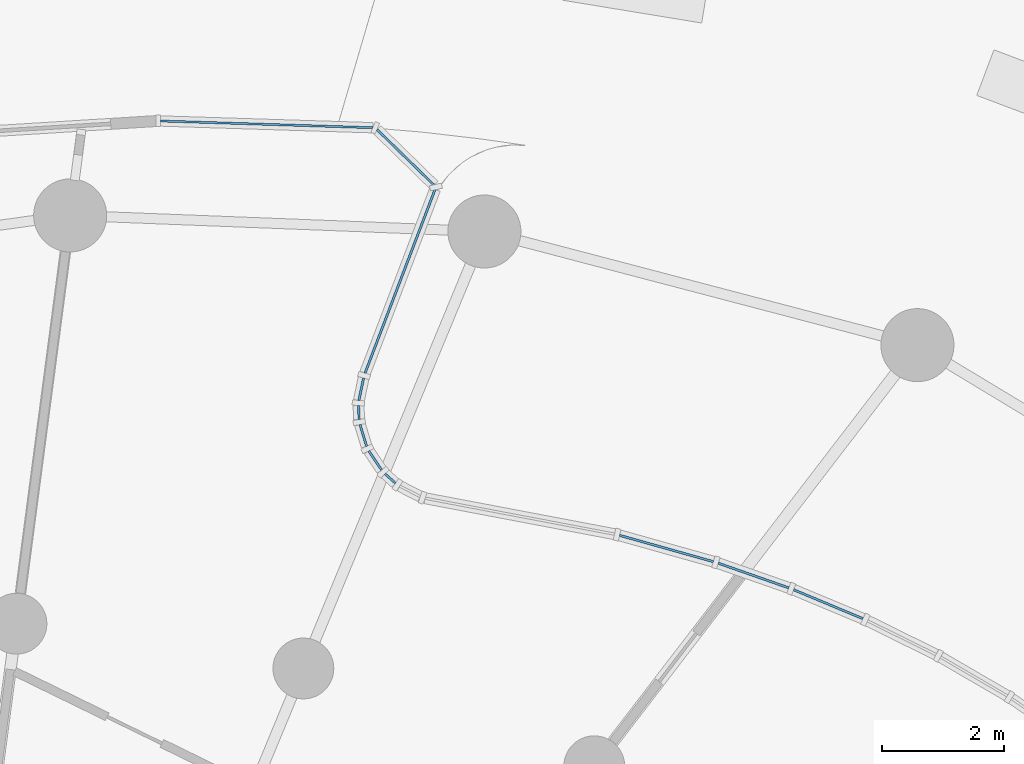
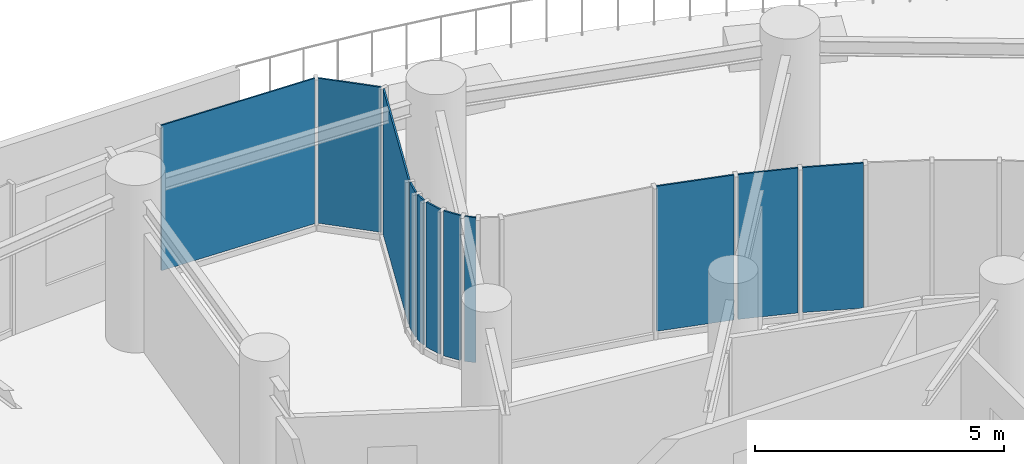
# One storey, part 13 of 24: 11 plates, 4 elements without a shape of their own.
"""IFC4 building model written with IfcOpenShell, lengths in metres."""

from ifc_helpers import new_model, si_unit, direction, frame, origin, origin_2d, place, context, subcontext, project, spatial, rectangle, extrude, source, transform, mapped, material, layer, layer_set, type_object, element, aggregate, save


model = new_model("IFC4")

# Units and contexts
model_context = context("Model", 3, precision=1e-05, world=origin(), true_north=direction((0.0, 1.0)))
body_context = subcontext(model_context, "Body", "Model", "MODEL_VIEW")
ifc_project = project(units=[si_unit("LENGTHUNIT", "METRE"), si_unit("AREAUNIT", "SQUARE_METRE"), si_unit("VOLUMEUNIT", "CUBIC_METRE"), si_unit("PLANEANGLEUNIT", "RADIAN"), si_unit("MASSUNIT", "GRAM", prefix="KILO")], contexts=[model_context])

# Site, building, storey
site_placement = place(None, origin())
site = spatial("IfcSite", under=ifc_project, at=site_placement, CompositionType="ELEMENT")
building_placement = place(site_placement, origin())
building = spatial("IfcBuilding", under=site, at=building_placement, Name="Spindrift Exchange Tower", CompositionType="ELEMENT")
storey_placement = place(building_placement, frame((0.0, 0.0, 79.800048828125)))
storey = spatial("IfcBuildingStorey", under=building, at=storey_placement, Name="L18", CompositionType="ELEMENT", Elevation=79.800048828125)

# Curtain wall, plate
ifc_material_1 = material(Name="Fritted laminated glass with bronze frame", Category="glass")
ifc_layer_1 = layer(ifc_material_1, 0.18994140625)
ifc_layer_set_1 = layer_set([ifc_layer_1], Name="ZONE 2 BRONZE FRITTED WALL")
curtain_wall_type_1 = type_object("IfcCurtainWallType", Name="ZONE 2 BRONZE FRITTED WALL", PredefinedType="NOTDEFINED", material=ifc_layer_set_1)
curtain_wall_1_placement = place(storey_placement, origin())
curtain_wall_1 = element("IfcCurtainWall", 1, at=curtain_wall_1_placement, inside=storey, type_object=curtain_wall_type_1, Name="L18 Zone 2 Bronze Fritted Wall run 1", PredefinedType="NOTDEFINED")
ifc_material_2 = material(Name="Bronze tinted laminated glass, light frit", Category="glass")
ifc_layer_2 = layer(ifc_material_2, 0.033935546875)
ifc_layer_set_2 = layer_set([ifc_layer_2], Name="ZONE 2 BRONZE FRITTED WALL PANEL LIGHT FRIT 720")
plate_type_1 = type_object("IfcPlateType", Name="ZONE 2 BRONZE FRITTED WALL PANEL LIGHT FRIT 720", PredefinedType="CURTAIN_PANEL", material=ifc_layer_set_2)
shared_shape_1 = source(origin(), body_context, "Body", "SweptSolid", [
    extrude(rectangle(XDim=3.4912109375, YDim=0.033935546875, at=origin_2d()), origin(), (0.0, 0.0, 1.0), 3.56005859375),
])
plate_1_placement = place(storey_placement, frame((58.453125, 73.972900390625, 0.139892578125), z_axis=(0.0, 0.0, 1.0), x_axis=(-0.999496975227, 0.031714295064, 0.0)))
plate_1 = element("IfcPlate", 2, at=plate_1_placement, type_object=plate_type_1, Name="L18 panel CW-2.1", PredefinedType="CURTAIN_PANEL", context=body_context, shape_type="MappedRepresentation", body=[
    mapped(shared_shape_1, transform((0.0, 0.0, 0.0), scale=1.0)),
])
aggregate(curtain_wall_1, [plate_1])

ifc_layer_3 = layer(ifc_material_1, 0.199951171875)
ifc_layer_set_3 = layer_set([ifc_layer_3], Name="SKY GARDEN BRONZE GLAZED WALL")
curtain_wall_type_2 = type_object("IfcCurtainWallType", Name="SKY GARDEN BRONZE GLAZED WALL", PredefinedType="NOTDEFINED", material=ifc_layer_set_3)
curtain_wall_2_placement = place(storey_placement, origin())
curtain_wall_2 = element("IfcCurtainWall", 3, at=curtain_wall_2_placement, inside=storey, type_object=curtain_wall_type_2, Name="L18 Sky Garden Bronze Glazed Wall run 11", PredefinedType="NOTDEFINED")
ifc_material_3 = material(Name="Bronze tinted laminated glass, clear vision", Category="glass")
ifc_layer_4 = layer(ifc_material_3, 0.0380859375)
ifc_layer_set_4 = layer_set([ifc_layer_4], Name="SKY GARDEN BRONZE GLAZED WALL PANEL CLEAR 1200")
plate_type_2 = type_object("IfcPlateType", Name="SKY GARDEN BRONZE GLAZED WALL PANEL CLEAR 1200", PredefinedType="CURTAIN_PANEL", material=ifc_layer_set_4)
shared_shape_2 = source(origin(), body_context, "Body", "SweptSolid", [
    extrude(rectangle(XDim=1.234619140625, YDim=0.0380859375, at=origin_2d()), origin(), (0.0, 0.0, 1.0), 3.550048828125),
])
plate_2_placement = place(storey_placement, frame((67.681396484375, 66.0869140625, 0.14990234375), z_axis=(0.0, 0.0, 1.0), x_axis=(-0.922758184523, 0.385379466106, 0.0)))
plate_2 = element("IfcPlate", 4, at=plate_2_placement, type_object=plate_type_2, Name="L18 panel CW-G.65", PredefinedType="CURTAIN_PANEL", context=body_context, shape_type="MappedRepresentation", body=[
    mapped(shared_shape_2, transform((0.0, 0.0, 0.0), scale=1.0)),
])
aggregate(curtain_wall_2, [plate_2])

# Curtain wall, plates
curtain_wall_3_placement = place(storey_placement, origin())
curtain_wall_3 = element("IfcCurtainWall", 5, at=curtain_wall_3_placement, inside=storey, type_object=curtain_wall_type_2, Name="L18 Sky Garden Bronze Glazed Wall run 12", PredefinedType="NOTDEFINED")
ifc_layer_5 = layer(ifc_material_3, 0.0380859375)
ifc_layer_set_5 = layer_set([ifc_layer_5], Name="SKY GARDEN BRONZE GLAZED WALL PANEL CLEAR 1920")
plate_type_3 = type_object("IfcPlateType", Name="SKY GARDEN BRONZE GLAZED WALL PANEL CLEAR 1920", PredefinedType="CURTAIN_PANEL", material=ifc_layer_set_5)
shared_shape_3 = source(origin(), body_context, "Body", "SweptSolid", [
    extrude(rectangle(XDim=1.22802734375, YDim=0.0380859375, at=origin_2d()), origin(), (0.0, 0.0, 1.0), 3.550048828125),
])
plate_3_placement = place(storey_placement, frame((66.452880859375, 66.55810546875, 0.14990234375), z_axis=(0.0, 0.0, 1.0), x_axis=(-0.943871306672, 0.330313421526, 0.0)))
plate_3 = element("IfcPlate", 6, at=plate_3_placement, type_object=plate_type_3, Name="L18 panel CW-G.66", PredefinedType="CURTAIN_PANEL", context=body_context, shape_type="MappedRepresentation", body=[
    mapped(shared_shape_3, transform((0.0, 0.0, 0.0), scale=1.0)),
])
ifc_layer_6 = layer(ifc_material_3, 0.0380859375)
ifc_layer_set_6 = layer_set([ifc_layer_6], Name="SKY GARDEN BRONZE GLAZED WALL PANEL CLEAR 1560")
plate_type_4 = type_object("IfcPlateType", Name="SKY GARDEN BRONZE GLAZED WALL PANEL CLEAR 1560", PredefinedType="CURTAIN_PANEL", material=ifc_layer_set_6)
shared_shape_4 = source(origin(), body_context, "Body", "SweptSolid", [
    extrude(rectangle(XDim=1.600830078125, YDim=0.0380859375, at=origin_2d()), origin(), (0.0, 0.0, 1.0), 3.550048828125),
])
plate_4_placement = place(storey_placement, frame((65.021484375, 67.002685546875, 0.14990234375), z_axis=(0.0, 0.0, 1.0), x_axis=(-0.962789446979, 0.270252624012, 0.0)))
plate_4 = element("IfcPlate", 7, at=plate_4_placement, type_object=plate_type_4, Name="L18 panel CW-G.67", PredefinedType="CURTAIN_PANEL", context=body_context, shape_type="MappedRepresentation", body=[
    mapped(shared_shape_4, transform((0.0, 0.0, 0.0), scale=1.0)),
])
shared_shape_5 = source(origin(), body_context, "Body", "SweptSolid", [
    extrude(rectangle(XDim=0.229736328125, YDim=0.0380859375, at=origin_2d()), origin(), (0.0, 0.0, 1.0), 3.550048828125),
])
plate_5_placement = place(storey_placement, frame((60.48291015625, 68.152587890625, 0.14990234375), z_axis=(0.0, 0.0, 1.0), x_axis=(-0.748109717158, 0.663575053098, 0.0)))
plate_5 = element("IfcPlate", 8, at=plate_5_placement, type_object=plate_type_2, Name="L18 panel CW-G.70", PredefinedType="CURTAIN_PANEL", context=body_context, shape_type="MappedRepresentation", body=[
    mapped(shared_shape_5, transform((0.0, 0.0, 0.0), scale=1.0)),
])
shared_shape_6 = source(origin(), body_context, "Body", "SweptSolid", [
    extrude(rectangle(XDim=0.37841796875, YDim=0.0380859375, at=origin_2d()), origin(), (0.0, 0.0, 1.0), 3.550048828125),
])
plate_6_placement = place(storey_placement, frame((60.235595703125, 68.44921875, 0.14990234375), z_axis=(0.0, 0.0, 1.0), x_axis=(-0.559272482788, 0.82898389007, 0.0)))
plate_6 = element("IfcPlate", 9, at=plate_6_placement, type_object=plate_type_3, Name="L18 panel CW-G.71", PredefinedType="CURTAIN_PANEL", context=body_context, shape_type="MappedRepresentation", body=[
    mapped(shared_shape_6, transform((0.0, 0.0, 0.0), scale=1.0)),
])
aggregate(curtain_wall_3, [plate_3, plate_4, plate_5, plate_6])

curtain_wall_4_placement = place(storey_placement, origin())
curtain_wall_4 = element("IfcCurtainWall", 10, at=curtain_wall_4_placement, inside=storey, type_object=curtain_wall_type_2, Name="L18 Sky Garden Bronze Glazed Wall run 13", PredefinedType="NOTDEFINED")
shared_shape_7 = source(origin(), body_context, "Body", "SweptSolid", [
    extrude(rectangle(XDim=0.37353515625, YDim=0.0380859375, at=origin_2d()), origin(), (0.0, 0.0, 1.0), 3.550048828125),
])
plate_7_placement = place(storey_placement, frame((60.03955078125, 68.860595703125, 0.14990234375), z_axis=(0.0, 0.0, 1.0), x_axis=(-0.29072724282, 0.956805973164, 0.0)))
plate_7 = element("IfcPlate", 11, at=plate_7_placement, type_object=plate_type_4, Name="L18 panel CW-G.72", PredefinedType="CURTAIN_PANEL", context=body_context, shape_type="MappedRepresentation", body=[
    mapped(shared_shape_7, transform((0.0, 0.0, 0.0), scale=1.0)),
])
shared_shape_8 = source(origin(), body_context, "Body", "SweptSolid", [
    extrude(rectangle(XDim=0.2294921875, YDim=0.0380859375, at=origin_2d()), origin(), (0.0, 0.0, 1.0), 3.550048828125),
])
plate_8_placement = place(storey_placement, frame((59.9658203125, 69.237060546875, 0.14990234375), z_axis=(0.0, 0.0, 1.0), x_axis=(-0.045134584181, 0.998980915389, 0.0)))
plate_8 = element("IfcPlate", 12, at=plate_8_placement, type_object=plate_type_2, Name="L18 panel CW-G.73", PredefinedType="CURTAIN_PANEL", context=body_context, shape_type="MappedRepresentation", body=[
    mapped(shared_shape_8, transform((0.0, 0.0, 0.0), scale=1.0)),
])
shared_shape_9 = source(origin(), body_context, "Body", "SweptSolid", [
    extrude(rectangle(XDim=0.3759765625, YDim=0.0380859375, at=origin_2d()), origin(), (0.0, 0.0, 1.0), 3.550048828125),
])
plate_9_placement = place(storey_placement, frame((60.005615234375, 69.619873046875, 0.14990234375), z_axis=(0.0, 0.0, 1.0), x_axis=(0.204535345932, 0.978859178975, 0.0)))
plate_9 = element("IfcPlate", 13, at=plate_9_placement, type_object=plate_type_2, Name="L18 panel CW-G.74", PredefinedType="CURTAIN_PANEL", context=body_context, shape_type="MappedRepresentation", body=[
    mapped(shared_shape_9, transform((0.0, 0.0, 0.0), scale=1.0)),
])
shared_shape_10 = source(origin(), body_context, "Body", "SweptSolid", [
    extrude(rectangle(XDim=3.22998046875, YDim=0.0380859375, at=origin_2d()), origin(), (0.0, 0.0, 1.0), 3.550048828125),
])
plate_10_placement = place(storey_placement, frame((60.643310546875, 71.394287109375, 0.14990234375), z_axis=(0.0, 0.0, 1.0), x_axis=(0.356097131153, 0.93444894627, 0.0)))
plate_10 = element("IfcPlate", 14, at=plate_10_placement, type_object=plate_type_2, Name="L18 panel CW-G.75", PredefinedType="CURTAIN_PANEL", context=body_context, shape_type="MappedRepresentation", body=[
    mapped(shared_shape_10, transform((0.0, 0.0, 0.0), scale=1.0)),
])
shared_shape_11 = source(origin(), body_context, "Body", "SweptSolid", [
    extrude(rectangle(XDim=1.30859375, YDim=0.0380859375, at=origin_2d()), origin(), (0.0, 0.0, 1.0), 3.550048828125),
])
plate_11_placement = place(storey_placement, frame((60.734619140625, 73.4296875, 0.14990234375), z_axis=(0.0, 0.0, 1.0), x_axis=(-0.716019337919, 0.698080445024, 0.0)))
plate_11 = element("IfcPlate", 15, at=plate_11_placement, type_object=plate_type_2, Name="L18 panel CW-G.76", PredefinedType="CURTAIN_PANEL", context=body_context, shape_type="MappedRepresentation", body=[
    mapped(shared_shape_11, transform((0.0, 0.0, 0.0), scale=1.0)),
])
aggregate(curtain_wall_4, [plate_7, plate_8, plate_9, plate_10, plate_11])

save(model, "model.ifc")
